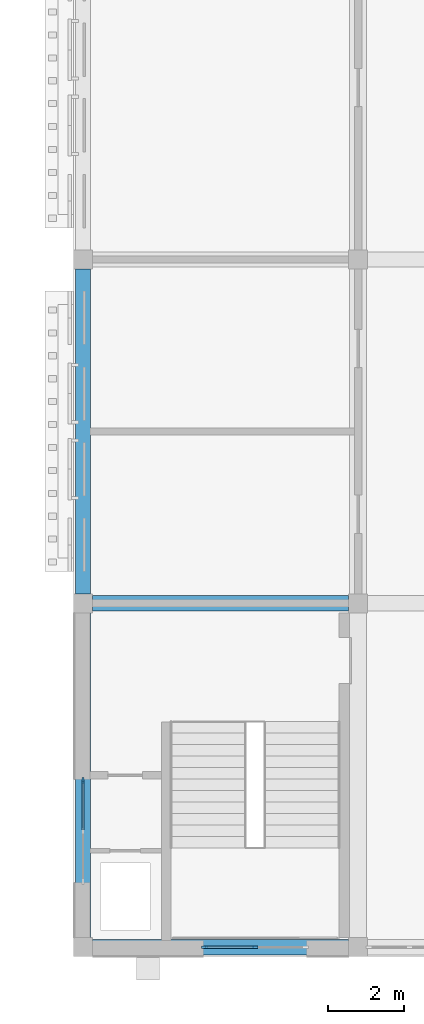
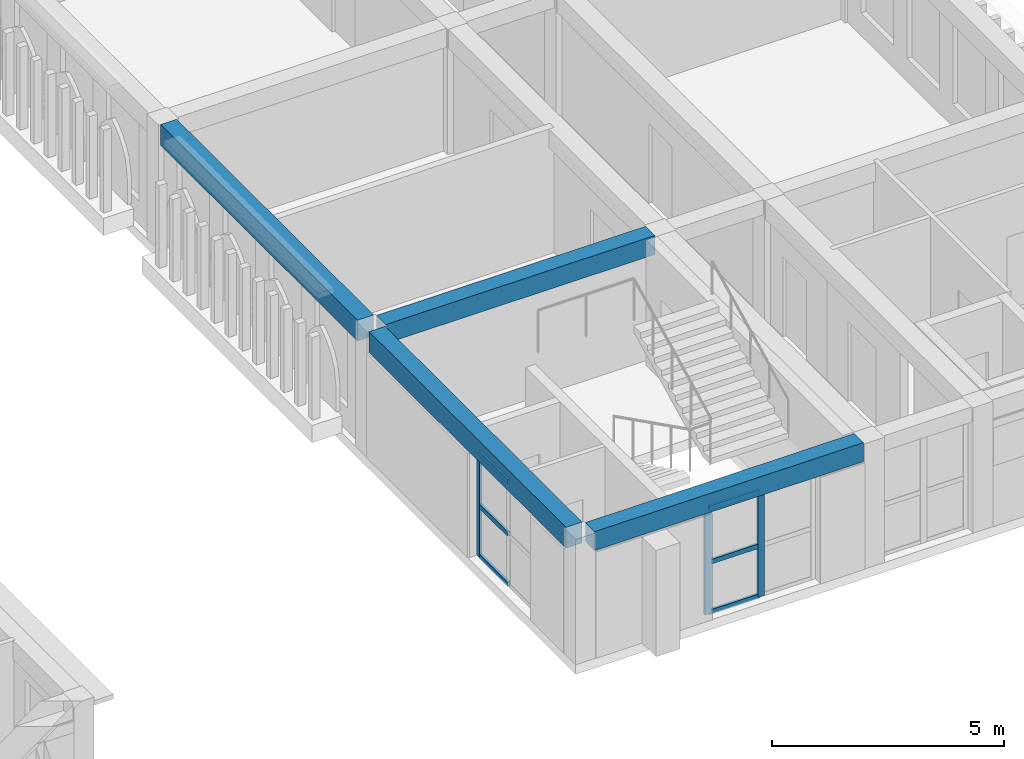
# One storey, part 17 of 70: 9 members, 4 beams, 2 elements without a shape of their own.
"""IFC4 building model written with IfcOpenShell, lengths in metres."""

import ifcopenshell
import ifcopenshell.guid

model = None  # the IFC model being written
_history = None  # IfcOwnerHistory: only IFC2X3 demands one
_inside = {}  # id of a spatial element -> (the spatial element, [elements in it])
_under = {}  # id of a project, library or spatial element -> (it, [spatial elements below it])
_declared = {}  # id of a project -> (the project, [libraries it declares])
_typed = {}  # id of a type object -> (the type object, [elements of that type])
_made_of = {}  # id of a material, layer set ... -> (it, [elements and type objects made of it])


def new_model(schema):
    """Start an empty IFC model of exactly this schema.

    Asked for "IFC4X3", IfcOpenShell would pick the latest addendum, in which some entities
    have other attributes; the version numbers below select the first issue.
    IFC2X3 requires an IfcOwnerHistory on every rooted entity: one is made here for all.
    """
    global model, _history
    if schema == "IFC4X3":
        model = ifcopenshell.file(schema_version=(4, 3, 0, 0))
    else:
        model = ifcopenshell.file(schema=schema)
    _inside.clear()
    _under.clear()
    _declared.clear()
    _typed.clear()
    _made_of.clear()
    _history = None
    if model.schema == "IFC2X3":
        org = make("IfcOrganization", Name="unknown")
        user = make(
            "IfcPersonAndOrganization",
            ThePerson=make("IfcPerson", FamilyName="unknown"),
            TheOrganization=org,
        )
        app = make(
            "IfcApplication",
            ApplicationDeveloper=org,
            Version="unknown",
            ApplicationFullName="unknown",
            ApplicationIdentifier="unknown",
        )
        _history = make(
            "IfcOwnerHistory",
            OwningUser=user,
            OwningApplication=app,
            ChangeAction="ADDED",
            CreationDate=0,
        )
    return model


def make(cls, **values):
    """One entity of the class cls with the attributes given. An attribute that is None is left unset."""
    return model.create_entity(
        cls, **{name: value for name, value in values.items() if value is not None}
    )


def rooted(cls, **values):
    """An entity with a GlobalId (a new one), such as an element, a storey or a relation."""
    return make(cls, GlobalId=ifcopenshell.guid.new(), OwnerHistory=_history, **values)


def si_unit(unit_type, name, prefix=None):
    """IfcSIUnit, for example si_unit("LENGTHUNIT", "METRE", prefix="MILLI")."""
    return make("IfcSIUnit", UnitType=unit_type, Prefix=prefix, Name=name)


def assignment(units):
    """IfcUnitAssignment: the units of a project."""
    return None if units is None else make("IfcUnitAssignment", Units=units)


def point(xyz):
    """IfcCartesianPoint."""
    return None if xyz is None else make("IfcCartesianPoint", Coordinates=xyz)


def direction(xyz):
    """IfcDirection."""
    return None if xyz is None else make("IfcDirection", DirectionRatios=xyz)


def frame(location, z_axis=None, x_axis=None):
    """IfcAxis2Placement3D, a coordinate frame: its origin and axes. An axis left out is left unset."""
    return make(
        "IfcAxis2Placement3D",
        Location=point(location),
        Axis=direction(z_axis),
        RefDirection=direction(x_axis),
    )


def frame_2d(location, x_axis=None):
    """IfcAxis2Placement2D, a coordinate frame in the plane: its origin and x axis."""
    return make(
        "IfcAxis2Placement2D", Location=point(location), RefDirection=direction(x_axis)
    )


def origin():
    """The frame at (0, 0, 0) with its axes left unset."""
    return frame((0.0, 0.0, 0.0))


def origin_2d():
    """The frame at (0, 0) in the plane with its x axis left unset."""
    return frame_2d((0.0, 0.0))


def place(relative_to, where):
    """IfcLocalPlacement: puts the frame where relative to a parent placement (None: the world)."""
    return make(
        "IfcLocalPlacement", PlacementRelTo=relative_to, RelativePlacement=where
    )


def context(
    kind, dimensions, precision=None, world=None, true_north=None, identifier=None
):
    """IfcGeometricRepresentationContext, for example the 3D "Model" context."""
    return make(
        "IfcGeometricRepresentationContext",
        ContextIdentifier=identifier,
        ContextType=kind,
        CoordinateSpaceDimension=dimensions,
        Precision=precision,
        WorldCoordinateSystem=world,
        TrueNorth=true_north,
    )


def subcontext(parent, identifier, kind, view, scale=None):
    """IfcGeometricRepresentationSubContext, for example "Body" below "Model"."""
    return make(
        "IfcGeometricRepresentationSubContext",
        ContextIdentifier=identifier,
        ContextType=kind,
        ParentContext=parent,
        TargetScale=scale,
        TargetView=view,
    )


def project(units=None, contexts=None):
    """IfcProject with its units and contexts."""
    return rooted(
        "IfcProject",
        Name="project",
        RepresentationContexts=contexts,
        UnitsInContext=assignment(units),
    )


def spatial(cls, under=None, at=None, **own):
    """A site, building, storey or space (cls), placed at a placement, below another one or the project."""
    s = rooted(cls, ObjectPlacement=at, **own)
    if under is not None:
        _under.setdefault(under.id(), (under, []))[1].append(s)
    return s


def profile(cls, at=None, kind="AREA", **sizes):
    """A parametric profile (cls). Its sizes go by their IFC names, for example OverallWidth=200.0."""
    return make(cls, ProfileType=kind, Position=at, **sizes)


def rectangle(**sizes):
    """IfcRectangleProfileDef."""
    return profile("IfcRectangleProfileDef", **sizes)


def extrude(swept, where, along, depth):
    """IfcExtrudedAreaSolid: the profile swept, set in the frame where, extruded along a direction by depth."""
    return make(
        "IfcExtrudedAreaSolid",
        SweptArea=swept,
        Position=where,
        ExtrudedDirection=direction(along),
        Depth=depth,
    )


def shape(context_of_items, identifier, shape_type, items):
    """IfcShapeRepresentation: the items that make up one representation, for example the "Body"."""
    return make(
        "IfcShapeRepresentation",
        ContextOfItems=context_of_items,
        RepresentationIdentifier=identifier,
        RepresentationType=shape_type,
        Items=items,
    )


def material(Name=None, Category=None):
    """IfcMaterial."""
    return make("IfcMaterial", Name=Name, Category=Category)


def layer(
    of_material, thickness, ventilated=None, Name=None, Category=None, Priority=None
):
    """IfcMaterialLayer: one layer of a wall or slab, of a material (None: an air gap)."""
    return make(
        "IfcMaterialLayer",
        Material=of_material,
        LayerThickness=thickness,
        IsVentilated=ventilated,
        Name=Name,
        Category=Category,
        Priority=Priority,
    )


def layer_set(layers, Name=None):
    """IfcMaterialLayerSet."""
    return make("IfcMaterialLayerSet", MaterialLayers=layers, LayerSetName=Name)


def material_profile(
    of_material, cross_section, Name=None, Category=None, Priority=None
):
    """IfcMaterialProfile: a cross section and its material."""
    return make(
        "IfcMaterialProfile",
        Name=Name,
        Material=of_material,
        Profile=cross_section,
        Priority=Priority,
        Category=Category,
    )


def profile_set(profiles, Name=None, composite=None):
    """IfcMaterialProfileSet."""
    return make(
        "IfcMaterialProfileSet",
        Name=Name,
        MaterialProfiles=profiles,
        CompositeProfile=composite,
    )


def made_of(thing, what):
    """Note that an element or type object is made of a material, layer set ...; save() writes the relation."""
    if what is not None:
        _made_of.setdefault(what.id(), (what, []))[1].append(thing)
    return thing


def type_object(cls, material=None, **own):
    """A type object (cls), such as IfcWallType, which elements share."""
    return made_of(rooted(cls, **own), material)


def element(
    cls,
    number,
    at=None,
    inside=None,
    cuts=None,
    type_object=None,
    material=None,
    context=None,
    identifier="Body",
    shape_type=None,
    held_by="IfcProductDefinitionShape",
    body=None,
    shapes=None,
    **own,
):
    """One element of the class cls, such as IfcWall. Its Tag is "e" and its number.

    at: its placement. inside: the storey or other place that contains it. cuts: it is an
    opening in that element (IfcRelVoidsElement). A single representation is given by context,
    identifier, shape_type and body (its items); several are given by shapes. held_by: the class
    of the entity that holds the representations. save() writes the other relations.
    """
    e = rooted(cls, Tag="e%d" % number, ObjectPlacement=at, **own)
    if body is not None:
        shapes = [shape(context, identifier, shape_type, body)]
    if shapes is not None:
        e.Representation = make(held_by, Representations=shapes)
    if inside is not None:
        _inside.setdefault(inside.id(), (inside, []))[1].append(e)
    if cuts is not None:
        rooted(
            "IfcRelVoidsElement", RelatingBuildingElement=cuts, RelatedOpeningElement=e
        )
    if type_object is not None:
        _typed.setdefault(type_object.id(), (type_object, []))[1].append(e)
    return made_of(e, material)


def aggregate(whole, parts):
    """IfcRelAggregates: a whole, such as a stair, and the parts it consists of."""
    return rooted("IfcRelAggregates", RelatingObject=whole, RelatedObjects=parts)


def save(model, path):
    """Write the relations noted so far, then the file.

    IfcRelAggregates (storeys below a building ...), IfcRelContainedInSpatialStructure (elements
    in a storey), IfcRelDefinesByType, IfcRelAssociatesMaterial and IfcRelDeclares: one each for
    every whole, place, type object, material and project.
    """
    for whole, parts in _under.values():
        aggregate(whole, parts)
    for where, things in _inside.values():
        rooted(
            "IfcRelContainedInSpatialStructure",
            RelatedElements=things,
            RelatingStructure=where,
        )
    for kind, things in _typed.values():
        rooted("IfcRelDefinesByType", RelatedObjects=things, RelatingType=kind)
    for what, things in _made_of.values():
        rooted("IfcRelAssociatesMaterial", RelatedObjects=things, RelatingMaterial=what)
    for by, libraries in _declared.values():
        rooted("IfcRelDeclares", RelatingContext=by, RelatedDefinitions=libraries)
    model.write(path)


model = new_model("IFC4")

# Units and contexts
model_context = context("Model", 3, precision=1e-05, world=origin(), true_north=direction((0.0, 1.0)))
body_context = subcontext(model_context, "Body", "Model", "MODEL_VIEW")
ifc_project = project(units=[si_unit("LENGTHUNIT", "METRE"), si_unit("AREAUNIT", "SQUARE_METRE"), si_unit("VOLUMEUNIT", "CUBIC_METRE"), si_unit("PLANEANGLEUNIT", "RADIAN"), si_unit("MASSUNIT", "GRAM", prefix="KILO")], contexts=[model_context])

# Site, building, storey
site_placement = place(None, origin())
site = spatial("IfcSite", under=ifc_project, at=site_placement, CompositionType="ELEMENT")
building_placement = place(site_placement, origin())
building = spatial("IfcBuilding", under=site, at=building_placement, Name="Elbe Cascade School", CompositionType="ELEMENT")
storey_placement = place(building_placement, frame((0.0, 0.0, 8.10009765625)))
storey = spatial("IfcBuildingStorey", under=building, at=storey_placement, Name="L02", CompositionType="ELEMENT", Elevation=8.10009765625)

# Curtain wall, member
ifc_material_1 = material(Name="Aluminium frame with double glazing, bronze anodised", Category="aluminium")
ifc_layer = layer(ifc_material_1, 0.159912109375)
ifc_layer_set = layer_set([ifc_layer], Name="Aluminium frame with double glazing, bronze anodised")
curtain_wall_type = type_object("IfcCurtainWallType", Name="Bars envelope Curtain wall, aluminium, bronze anodised, storey-high slot", PredefinedType="NOTDEFINED", material=ifc_layer_set)
curtain_wall_1_placement = place(storey_placement, origin())
curtain_wall_1 = element("IfcCurtainWall", 1, at=curtain_wall_1_placement, inside=storey, type_object=curtain_wall_type, Name="Curtain wall CW4 C.L02.w1", PredefinedType="NOTDEFINED")
ifc_material_2 = material(Name="Aluminium mullion, bronze anodised", Category="aluminium")
ifc_material_profile_1 = material_profile(ifc_material_2, rectangle(XDim=0.06005859375, YDim=0.159912109375, at=origin_2d()), Name="Bars envelope Curtain wall mullion 60 x 160, aluminium, storey-high slot")
ifc_profile_set_1 = profile_set([ifc_material_profile_1], Name="Aluminium mullion, bronze anodised")
member_type_1 = type_object("IfcMemberType", Name="Bars envelope Curtain wall mullion 60 x 160, aluminium, storey-high slot", PredefinedType="MULLION", material=ifc_profile_set_1)
member_1_placement = place(storey_placement, frame((128.199951171875, 10.360107421875, 0.0), z_axis=(0.0, 0.0, 1.0), x_axis=(-1.0, 0.0, 0.0)))
member_1 = element("IfcMember", 2, at=member_1_placement, type_object=member_type_1, Name="CW4 mullion 3", PredefinedType="MULLION", context=body_context, shape_type="SweptSolid", body=[
    extrude(rectangle(XDim=0.06005859375, YDim=0.159912109375, at=origin_2d()), origin(), (0.0, 0.0, 1.0), 2.75),
])

# Curtain wall, members
curtain_wall_2_placement = place(storey_placement, origin())
curtain_wall_2 = element("IfcCurtainWall", 3, at=curtain_wall_2_placement, inside=storey, type_object=curtain_wall_type, Name="Curtain wall CW4 C.L02.s1", PredefinedType="NOTDEFINED")
member_2_placement = place(storey_placement, frame((132.699951171875, 6.0, 0.0), z_axis=(0.0, 0.0, 1.0), x_axis=(0.0, -1.0, 0.0)))
member_2 = element("IfcMember", 4, at=member_2_placement, type_object=member_type_1, Name="CW4 mullion 2", PredefinedType="MULLION", context=body_context, shape_type="SweptSolid", body=[
    extrude(rectangle(XDim=0.06005859375, YDim=0.159912109375, at=origin_2d()), origin(), (0.0, 0.0, 1.0), 2.7998046875),
])
member_3_placement = place(storey_placement, frame((131.3798828125, 6.0, 0.0), z_axis=(0.0, 0.0, 1.0), x_axis=(0.0, -1.0, 0.0)))
member_3 = element("IfcMember", 5, at=member_3_placement, type_object=member_type_1, Name="CW4 mullion 3", PredefinedType="MULLION", context=body_context, shape_type="SweptSolid", body=[
    extrude(rectangle(XDim=0.06005859375, YDim=0.159912109375, at=origin_2d()), origin(), (0.0, 0.0, 1.0), 2.7998046875),
])

# Member
ifc_material_3 = material(Name="Aluminium transom, bronze anodised", Category="aluminium")
ifc_material_profile_2 = material_profile(ifc_material_3, rectangle(XDim=0.06005859375, YDim=0.1201171875, at=origin_2d()), Name="Bars envelope Curtain wall transom 60 x 120, aluminium, storey-high slot")
ifc_profile_set_2 = profile_set([ifc_material_profile_2], Name="Aluminium transom, bronze anodised")
member_type_2 = type_object("IfcMemberType", Name="Bars envelope Curtain wall transom 60 x 120, aluminium, storey-high slot", PredefinedType="USERDEFINED", material=ifc_profile_set_2)
member_4_placement = place(storey_placement, frame((128.199951171875, 9.070068359375, 0.02978515625), z_axis=(0.0, 1.0, 0.0), x_axis=(-1.0, 0.0, 0.0)))
member_4 = element("IfcMember", 6, at=member_4_placement, type_object=member_type_2, Name="CW4 transom 2.1", ObjectType="TRANSOM", PredefinedType="USERDEFINED", context=body_context, shape_type="SweptSolid", body=[
    extrude(rectangle(XDim=0.06005859375, YDim=0.1201171875, at=origin_2d()), origin(), (0.0, 0.0, 1.0), 1.260009765625),
])

member_5_placement = place(storey_placement, frame((128.199951171875, 9.070068359375, 1.349853515625), z_axis=(0.0, 1.0, 0.0), x_axis=(-1.0, 0.0, 0.0)))
member_5 = element("IfcMember", 7, at=member_5_placement, type_object=member_type_2, Name="CW4 transom 2.2", ObjectType="TRANSOM", PredefinedType="USERDEFINED", context=body_context, shape_type="SweptSolid", body=[
    extrude(rectangle(XDim=0.06005859375, YDim=0.1201171875, at=origin_2d()), origin(), (0.0, 0.0, 1.0), 1.260009765625),
])

member_6_placement = place(storey_placement, frame((128.199951171875, 9.070068359375, 2.719970703125), z_axis=(0.0, 1.0, 0.0), x_axis=(-1.0, 0.0, 0.0)))
member_6 = element("IfcMember", 8, at=member_6_placement, type_object=member_type_2, Name="CW4 transom 2.3", ObjectType="TRANSOM", PredefinedType="USERDEFINED", context=body_context, shape_type="SweptSolid", body=[
    extrude(rectangle(XDim=0.06005859375, YDim=0.1201171875, at=origin_2d()), origin(), (0.0, 0.0, 1.0), 1.260009765625),
])

aggregate(curtain_wall_1, [member_1, member_4, member_5, member_6])

member_7_placement = place(storey_placement, frame((132.669921875, 6.0, 0.02978515625), z_axis=(-1.0, 0.0, 0.0), x_axis=(0.0, -1.0, 0.0)))
member_7 = element("IfcMember", 9, at=member_7_placement, type_object=member_type_2, Name="CW4 transom 2.1", ObjectType="TRANSOM", PredefinedType="USERDEFINED", context=body_context, shape_type="SweptSolid", body=[
    extrude(rectangle(XDim=0.06005859375, YDim=0.1201171875, at=origin_2d()), origin(), (0.0, 0.0, 1.0), 1.260009765625),
])

member_8_placement = place(storey_placement, frame((132.669921875, 6.0, 1.349853515625), z_axis=(-1.0, 0.0, 0.0), x_axis=(0.0, -1.0, 0.0)))
member_8 = element("IfcMember", 10, at=member_8_placement, type_object=member_type_2, Name="CW4 transom 2.2", ObjectType="TRANSOM", PredefinedType="USERDEFINED", context=body_context, shape_type="SweptSolid", body=[
    extrude(rectangle(XDim=0.06005859375, YDim=0.1201171875, at=origin_2d()), origin(), (0.0, 0.0, 1.0), 1.260009765625),
])

member_9_placement = place(storey_placement, frame((132.669921875, 6.0, 2.77001953125), z_axis=(-1.0, 0.0, 0.0), x_axis=(0.0, -1.0, 0.0)))
member_9 = element("IfcMember", 11, at=member_9_placement, type_object=member_type_2, Name="CW4 transom 2.3", ObjectType="TRANSOM", PredefinedType="USERDEFINED", context=body_context, shape_type="SweptSolid", body=[
    extrude(rectangle(XDim=0.06005859375, YDim=0.1201171875, at=origin_2d()), origin(), (0.0, 0.0, 1.0), 1.260009765625),
])

aggregate(curtain_wall_2, [member_2, member_3, member_7, member_8, member_9])

# Beams
ifc_material_4 = material(Name="Concrete C30/37", Category="concrete")
ifc_material_profile_3 = material_profile(ifc_material_4, rectangle(XDim=0.39990234375, YDim=0.5, at=origin_2d()), Name="RC 400x500")
ifc_profile_set_3 = profile_set([ifc_material_profile_3], Name="Concrete C30/37")
beam_type_1 = type_object("IfcBeamType", Name="RC 400x500 beam", PredefinedType="BEAM", material=ifc_profile_set_3)
for number, where, z_axis, x_axis, name in (
    (12, (128.449951171875, 6.0, 3.0498046875), (1.0, 0.0, 0.0), (0.0, 1.0, 0.0), "RC 400x500 beam B1"),
    (13, (128.449951171875, 15.0, 3.0498046875), (1.0, 0.0, 0.0), (0.0, 1.0, 0.0), "RC 400x500 beam B1"),
):
    element("IfcBeam", number, at=place(storey_placement, frame(where, z_axis=z_axis, x_axis=x_axis)), inside=storey, type_object=beam_type_1, Name=name, PredefinedType="BEAM", context=body_context, shape_type="SweptSolid", body=[
        extrude(rectangle(XDim=0.39990234375, YDim=0.5, at=origin_2d()), origin(), (0.0, 0.0, 1.0), 6.699951171875),
    ])
ifc_material_5 = material(Name="Concrete C30/37", Category="concrete")
ifc_material_profile_4 = material_profile(ifc_material_5, rectangle(XDim=0.39990234375, YDim=0.550048828125, at=origin_2d()), Name="RC 400x550")
ifc_profile_set_4 = profile_set([ifc_material_profile_4], Name="Concrete C30/37")
beam_type_2 = type_object("IfcBeamType", Name="RC 400x550 beam", PredefinedType="BEAM", material=ifc_profile_set_4)
for number, where, z_axis, x_axis, name in (
    (14, (128.199951171875, 6.25, 3.02490234375), (0.0, 1.0, 0.0), (-1.0, 0.0, 0.0), "RC 400x550 beam B4"),
    (15, (128.199951171875, 15.25, 3.02490234375), (0.0, 1.0, 0.0), (-1.0, 0.0, 0.0), "RC 400x550 beam B4"),
):
    element("IfcBeam", number, at=place(storey_placement, frame(where, z_axis=z_axis, x_axis=x_axis)), inside=storey, type_object=beam_type_2, Name=name, PredefinedType="BEAM", context=body_context, shape_type="SweptSolid", body=[
        extrude(rectangle(XDim=0.39990234375, YDim=0.550048828125, at=origin_2d()), origin(), (0.0, 0.0, 1.0), 8.5),
    ])

save(model, "model.ifc")
